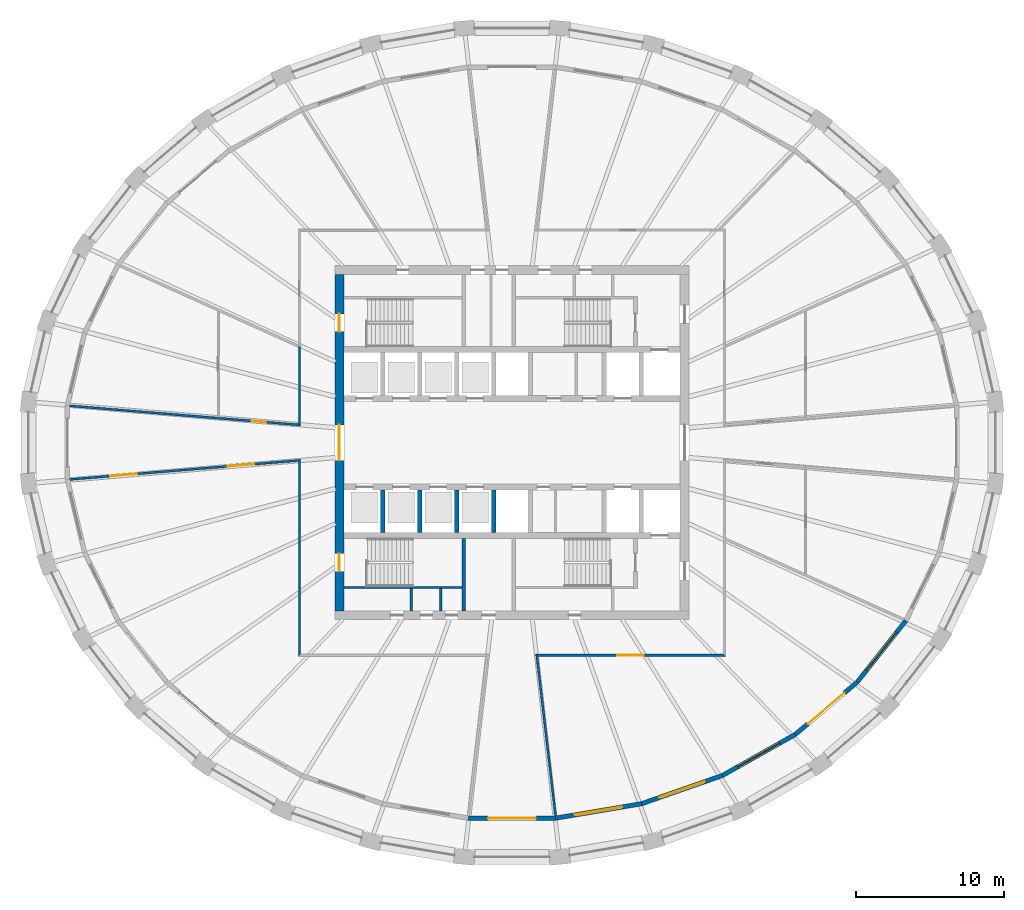
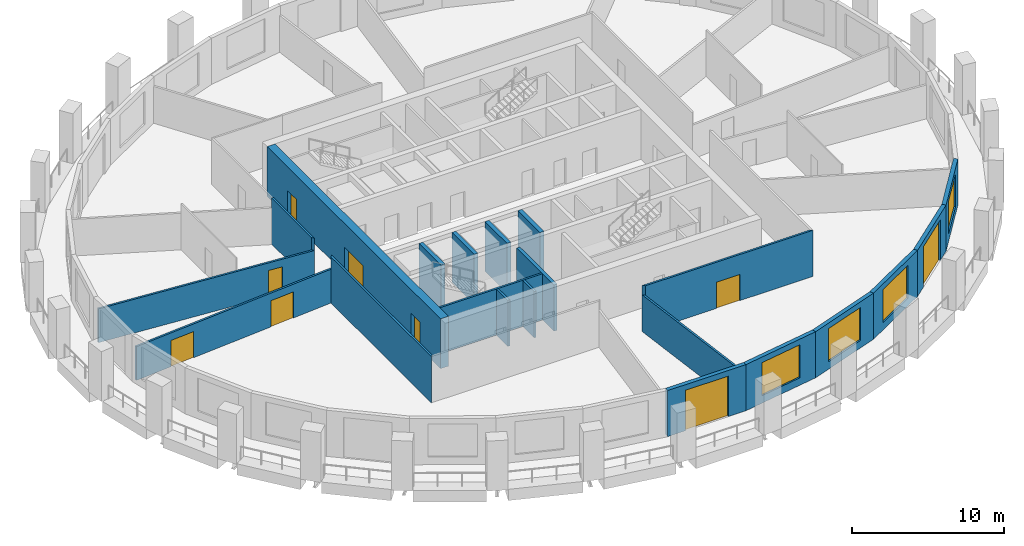
# One storey, part 3 of 10: 21 walls, 9 doors, 4 windows, 13 openings.
"""IFC4 building model written with IfcOpenShell, lengths in metres."""

import ifcopenshell
import ifcopenshell.guid

model = None  # the IFC model being written
_history = None  # IfcOwnerHistory: only IFC2X3 demands one
_inside = {}  # id of a spatial element -> (the spatial element, [elements in it])
_under = {}  # id of a project, library or spatial element -> (it, [spatial elements below it])
_declared = {}  # id of a project -> (the project, [libraries it declares])
_typed = {}  # id of a type object -> (the type object, [elements of that type])
_made_of = {}  # id of a material, layer set ... -> (it, [elements and type objects made of it])


def new_model(schema):
    """Start an empty IFC model of exactly this schema.

    Asked for "IFC4X3", IfcOpenShell would pick the latest addendum, in which some entities
    have other attributes; the version numbers below select the first issue.
    IFC2X3 requires an IfcOwnerHistory on every rooted entity: one is made here for all.
    """
    global model, _history
    if schema == "IFC4X3":
        model = ifcopenshell.file(schema_version=(4, 3, 0, 0))
    else:
        model = ifcopenshell.file(schema=schema)
    _inside.clear()
    _under.clear()
    _declared.clear()
    _typed.clear()
    _made_of.clear()
    _history = None
    if model.schema == "IFC2X3":
        org = make("IfcOrganization", Name="unknown")
        user = make(
            "IfcPersonAndOrganization",
            ThePerson=make("IfcPerson", FamilyName="unknown"),
            TheOrganization=org,
        )
        app = make(
            "IfcApplication",
            ApplicationDeveloper=org,
            Version="unknown",
            ApplicationFullName="unknown",
            ApplicationIdentifier="unknown",
        )
        _history = make(
            "IfcOwnerHistory",
            OwningUser=user,
            OwningApplication=app,
            ChangeAction="ADDED",
            CreationDate=0,
        )
    return model


def make(cls, **values):
    """One entity of the class cls with the attributes given. An attribute that is None is left unset."""
    return model.create_entity(
        cls, **{name: value for name, value in values.items() if value is not None}
    )


def rooted(cls, **values):
    """An entity with a GlobalId (a new one), such as an element, a storey or a relation."""
    return make(cls, GlobalId=ifcopenshell.guid.new(), OwnerHistory=_history, **values)


def si_unit(unit_type, name, prefix=None):
    """IfcSIUnit, for example si_unit("LENGTHUNIT", "METRE", prefix="MILLI")."""
    return make("IfcSIUnit", UnitType=unit_type, Prefix=prefix, Name=name)


def assignment(units):
    """IfcUnitAssignment: the units of a project."""
    return None if units is None else make("IfcUnitAssignment", Units=units)


def point(xyz):
    """IfcCartesianPoint."""
    return None if xyz is None else make("IfcCartesianPoint", Coordinates=xyz)


def direction(xyz):
    """IfcDirection."""
    return None if xyz is None else make("IfcDirection", DirectionRatios=xyz)


def frame(location, z_axis=None, x_axis=None):
    """IfcAxis2Placement3D, a coordinate frame: its origin and axes. An axis left out is left unset."""
    return make(
        "IfcAxis2Placement3D",
        Location=point(location),
        Axis=direction(z_axis),
        RefDirection=direction(x_axis),
    )


def frame_2d(location, x_axis=None):
    """IfcAxis2Placement2D, a coordinate frame in the plane: its origin and x axis."""
    return make(
        "IfcAxis2Placement2D", Location=point(location), RefDirection=direction(x_axis)
    )


def origin():
    """The frame at (0, 0, 0) with its axes left unset."""
    return frame((0.0, 0.0, 0.0))


def place(relative_to, where):
    """IfcLocalPlacement: puts the frame where relative to a parent placement (None: the world)."""
    return make(
        "IfcLocalPlacement", PlacementRelTo=relative_to, RelativePlacement=where
    )


def context(
    kind, dimensions, precision=None, world=None, true_north=None, identifier=None
):
    """IfcGeometricRepresentationContext, for example the 3D "Model" context."""
    return make(
        "IfcGeometricRepresentationContext",
        ContextIdentifier=identifier,
        ContextType=kind,
        CoordinateSpaceDimension=dimensions,
        Precision=precision,
        WorldCoordinateSystem=world,
        TrueNorth=true_north,
    )


def subcontext(parent, identifier, kind, view, scale=None):
    """IfcGeometricRepresentationSubContext, for example "Body" below "Model"."""
    return make(
        "IfcGeometricRepresentationSubContext",
        ContextIdentifier=identifier,
        ContextType=kind,
        ParentContext=parent,
        TargetScale=scale,
        TargetView=view,
    )


def project(units=None, contexts=None):
    """IfcProject with its units and contexts."""
    return rooted(
        "IfcProject",
        Name="project",
        RepresentationContexts=contexts,
        UnitsInContext=assignment(units),
    )


def spatial(cls, under=None, at=None, **own):
    """A site, building, storey or space (cls), placed at a placement, below another one or the project."""
    s = rooted(cls, ObjectPlacement=at, **own)
    if under is not None:
        _under.setdefault(under.id(), (under, []))[1].append(s)
    return s


def polyline(points):
    """IfcPolyline through the points."""
    return make("IfcPolyline", Points=[point(p) for p in points])


def profile(cls, at=None, kind="AREA", **sizes):
    """A parametric profile (cls). Its sizes go by their IFC names, for example OverallWidth=200.0."""
    return make(cls, ProfileType=kind, Position=at, **sizes)


def rectangle(**sizes):
    """IfcRectangleProfileDef."""
    return profile("IfcRectangleProfileDef", **sizes)


def outline(outer, holes=None, kind="AREA"):
    """IfcArbitraryClosedProfileDef: a profile drawn as a closed curve; with holes, ...WithVoids."""
    if holes is None:
        return make("IfcArbitraryClosedProfileDef", ProfileType=kind, OuterCurve=outer)
    return make(
        "IfcArbitraryProfileDefWithVoids",
        ProfileType=kind,
        OuterCurve=outer,
        InnerCurves=holes,
    )


def extrude(swept, where, along, depth):
    """IfcExtrudedAreaSolid: the profile swept, set in the frame where, extruded along a direction by depth."""
    return make(
        "IfcExtrudedAreaSolid",
        SweptArea=swept,
        Position=where,
        ExtrudedDirection=direction(along),
        Depth=depth,
    )


def shape(context_of_items, identifier, shape_type, items):
    """IfcShapeRepresentation: the items that make up one representation, for example the "Body"."""
    return make(
        "IfcShapeRepresentation",
        ContextOfItems=context_of_items,
        RepresentationIdentifier=identifier,
        RepresentationType=shape_type,
        Items=items,
    )


def material(Name=None, Category=None):
    """IfcMaterial."""
    return make("IfcMaterial", Name=Name, Category=Category)


def layer(
    of_material, thickness, ventilated=None, Name=None, Category=None, Priority=None
):
    """IfcMaterialLayer: one layer of a wall or slab, of a material (None: an air gap)."""
    return make(
        "IfcMaterialLayer",
        Material=of_material,
        LayerThickness=thickness,
        IsVentilated=ventilated,
        Name=Name,
        Category=Category,
        Priority=Priority,
    )


def layer_set(layers, Name=None):
    """IfcMaterialLayerSet."""
    return make("IfcMaterialLayerSet", MaterialLayers=layers, LayerSetName=Name)


def made_of(thing, what):
    """Note that an element or type object is made of a material, layer set ...; save() writes the relation."""
    if what is not None:
        _made_of.setdefault(what.id(), (what, []))[1].append(thing)
    return thing


def type_object(cls, material=None, **own):
    """A type object (cls), such as IfcWallType, which elements share."""
    return made_of(rooted(cls, **own), material)


def element(
    cls,
    number,
    at=None,
    inside=None,
    cuts=None,
    type_object=None,
    material=None,
    context=None,
    identifier="Body",
    shape_type=None,
    held_by="IfcProductDefinitionShape",
    body=None,
    shapes=None,
    **own,
):
    """One element of the class cls, such as IfcWall. Its Tag is "e" and its number.

    at: its placement. inside: the storey or other place that contains it. cuts: it is an
    opening in that element (IfcRelVoidsElement). A single representation is given by context,
    identifier, shape_type and body (its items); several are given by shapes. held_by: the class
    of the entity that holds the representations. save() writes the other relations.
    """
    e = rooted(cls, Tag="e%d" % number, ObjectPlacement=at, **own)
    if body is not None:
        shapes = [shape(context, identifier, shape_type, body)]
    if shapes is not None:
        e.Representation = make(held_by, Representations=shapes)
    if inside is not None:
        _inside.setdefault(inside.id(), (inside, []))[1].append(e)
    if cuts is not None:
        rooted(
            "IfcRelVoidsElement", RelatingBuildingElement=cuts, RelatedOpeningElement=e
        )
    if type_object is not None:
        _typed.setdefault(type_object.id(), (type_object, []))[1].append(e)
    return made_of(e, material)


def fill(opening, filler):
    """IfcRelFillsElement: the door or window that sits in an opening."""
    return rooted(
        "IfcRelFillsElement",
        RelatingOpeningElement=opening,
        RelatedBuildingElement=filler,
    )


def aggregate(whole, parts):
    """IfcRelAggregates: a whole, such as a stair, and the parts it consists of."""
    return rooted("IfcRelAggregates", RelatingObject=whole, RelatedObjects=parts)


def save(model, path):
    """Write the relations noted so far, then the file.

    IfcRelAggregates (storeys below a building ...), IfcRelContainedInSpatialStructure (elements
    in a storey), IfcRelDefinesByType, IfcRelAssociatesMaterial and IfcRelDeclares: one each for
    every whole, place, type object, material and project.
    """
    for whole, parts in _under.values():
        aggregate(whole, parts)
    for where, things in _inside.values():
        rooted(
            "IfcRelContainedInSpatialStructure",
            RelatedElements=things,
            RelatingStructure=where,
        )
    for kind, things in _typed.values():
        rooted("IfcRelDefinesByType", RelatedObjects=things, RelatingType=kind)
    for what, things in _made_of.values():
        rooted("IfcRelAssociatesMaterial", RelatedObjects=things, RelatingMaterial=what)
    for by, libraries in _declared.values():
        rooted("IfcRelDeclares", RelatingContext=by, RelatedDefinitions=libraries)
    model.write(path)


model = new_model("IFC4")

# Units and contexts
model_context = context("Model", 3, precision=1e-05, world=origin(), true_north=direction((0.0, 1.0)))
body_context = subcontext(model_context, "Body", "Model", "MODEL_VIEW")
ifc_project = project(units=[si_unit("LENGTHUNIT", "METRE"), si_unit("AREAUNIT", "SQUARE_METRE"), si_unit("VOLUMEUNIT", "CUBIC_METRE"), si_unit("PLANEANGLEUNIT", "RADIAN"), si_unit("MASSUNIT", "GRAM", prefix="KILO")], contexts=[model_context])

# Site, building, storey
site_placement = place(None, origin())
site = spatial("IfcSite", under=ifc_project, at=site_placement, CompositionType="ELEMENT")
building_placement = place(site_placement, origin())
building = spatial("IfcBuilding", under=site, at=building_placement, Name="Halqa Exchange Tower", CompositionType="ELEMENT")
storey_placement = place(building_placement, frame((0.0, 0.0, 178.89990234375)))
storey = spatial("IfcBuildingStorey", under=building, at=storey_placement, Name="L40", CompositionType="ELEMENT", Elevation=178.89990234375)

# Wall, opening, door
ifc_material_1 = material(Name="Fire-rated gypsum board")
ifc_layer_1 = layer(ifc_material_1, 0.14990234375)
ifc_layer_set_1 = layer_set([ifc_layer_1], Name="Fire-rated gypsum board")
wall_type_1 = type_object("IfcWallType", Name="Fire partition EI 60 150", PredefinedType="PARTITIONING", material=ifc_layer_set_1)
wall_1_placement = place(storey_placement, frame((-29.969970703125, 2.494384765625, 0.0), z_axis=(0.0, 0.0, 1.0), x_axis=(0.996561500002, -0.082856361942, 0.0)))
wall_1 = element("IfcWall", 1, at=wall_1_placement, inside=storey, type_object=wall_type_1, Name="L40-PWL-001", PredefinedType="PARTITIONING", context=body_context, shape_type="SweptSolid", body=[
    extrude(outline(polyline([(15.705078125, -0.074951171875), (15.705078125, -0.07470703125), (15.623779296875, 0.000244140625), (15.54248046875, 0.074951171875), (13.600341796875, 0.074951171875), (11.658203125, 0.074951171875), (9.71630859375, 0.074951171875), (7.774169921875, 0.074951171875), (5.83203125, 0.074951171875), (3.889892578125, 0.074951171875), (1.947998046875, 0.074951171875), (0.005859375, 0.074951171875), (0.0, 0.03564453125), (0.0, -0.073974609375), (0.0, -0.074951171875), (1.963134765625, -0.074951171875), (3.92626953125, -0.074951171875), (5.889404296875, -0.074951171875), (7.8525390625, -0.074951171875), (9.815673828125, -0.074951171875), (11.77880859375, -0.074951171875), (13.741943359375, -0.074951171875), (15.705078125, -0.074951171875)])), origin(), (0.0, 0.0, 1.0), 2.710205078125),
])
opening_1_placement = place(wall_1_placement, frame((12.364013671875, 0.0, 0.0)))
opening_1 = element("IfcOpeningElement", 2, at=opening_1_placement, cuts=wall_1, Name="Opening 12-03", PredefinedType="OPENING", context=body_context, shape_type="SweptSolid", body=[
    extrude(rectangle(XDim=1.0, YDim=2.10009765625, at=frame_2d((0.5, 1.050048828125))), frame((0.0, 0.0869140625, 0.0), z_axis=(0.0, -1.0, 0.0), x_axis=(1.0, 0.0, 0.0)), (0.0, 0.0, 1.0), 0.173828125),
])
ifc_material_2 = material(Name="Steel fire door leaf", Category="steel")
door_type_1 = type_object("IfcDoorType", Name="Fire door FD30S 1000 x 2100", OperationType="SINGLE_SWING_LEFT", PredefinedType="DOOR", material=ifc_material_2)
door_1_placement = place(opening_1_placement, origin())
door_1 = element("IfcDoor", 3, at=door_1_placement, inside=storey, type_object=door_type_1, Name="L40-IDR-003", OperationType="SINGLE_SWING_LEFT", OverallHeight=2.10009765625, OverallWidth=1.0, PredefinedType="DOOR", context=body_context, shape_type="SweptSolid", body=[
    extrude(rectangle(XDim=1.0, YDim=2.10009765625, at=frame_2d((0.5, 1.050048828125))), frame((0.0, 0.02490234375, 0.0), z_axis=(0.0, -1.0, 0.0), x_axis=(1.0, 0.0, 0.0)), (0.0, 0.0, 1.0), 0.050048828125),
])
fill(opening_1, door_1)

# Wall
wall_2_placement = place(storey_placement, frame((-14.39990234375, -14.47509765625, 0.0), z_axis=(0.0, 0.0, 1.0), x_axis=(0.0, 1.0, 0.0)))
element("IfcWall", 4, at=wall_2_placement, inside=storey, type_object=wall_type_1, Name="L40-PWL-004", PredefinedType="PARTITIONING", context=body_context, shape_type="SweptSolid", body=[
    extrude(outline(polyline([(0.150146484375, -0.074951171875), (2.036865234375, -0.074951171875), (3.92333984375, -0.074951171875), (5.81005859375, -0.074951171875), (7.69677734375, -0.074951171875), (9.583251953125, -0.074951171875), (11.469970703125, -0.074951171875), (13.356689453125, -0.074951171875), (13.19384765625, 0.074951171875), (11.30908203125, 0.074951171875), (9.424072265625, 0.074951171875), (7.539306640625, 0.074951171875), (5.654541015625, 0.074951171875), (3.769775390625, 0.074951171875), (1.885009765625, 0.074951171875), (0.000244140625, 0.074951171875), (0.150146484375, -0.074951171875)])), origin(), (0.0, 0.0, 1.0), 3.7001953125),
])

# Wall, openings, doors
wall_3_placement = place(storey_placement, frame((-14.31884765625, -1.193115234375, 0.0), z_axis=(0.0, 0.0, 1.0), x_axis=(-0.996562676797, -0.08284220673, 0.0)))
wall_3 = element("IfcWall", 5, at=wall_3_placement, inside=storey, type_object=wall_type_1, Name="L40-PWL-005", PredefinedType="PARTITIONING", context=body_context, shape_type="SweptSolid", body=[
    extrude(outline(polyline([(15.704833984375, -0.074951171875), (15.704833984375, 0.037841796875), (15.69921875, 0.074951171875), (13.757080078125, 0.074951171875), (11.815185546875, 0.074951171875), (9.873046875, 0.074951171875), (7.930908203125, 0.074951171875), (5.989013671875, 0.074951171875), (4.046875, 0.074951171875), (2.104736328125, 0.074951171875), (0.162841796875, 0.074951171875), (0.08154296875, 0.000244140625), (0.0, -0.07470703125), (0.0, -0.074951171875), (1.963134765625, -0.074951171875), (3.92626953125, -0.074951171875), (5.889404296875, -0.074951171875), (7.8525390625, -0.074951171875), (9.8154296875, -0.074951171875), (11.778564453125, -0.074951171875), (13.74169921875, -0.074951171875), (15.704833984375, -0.074951171875)])), origin(), (0.0, 0.0, 1.0), 2.710205078125),
])
opening_2_placement = place(wall_3_placement, frame((11.132568359375, 0.0, 0.0)))
opening_2 = element("IfcOpeningElement", 6, at=opening_2_placement, cuts=wall_3, Name="Opening 12-04", PredefinedType="OPENING", context=body_context, shape_type="SweptSolid", body=[
    extrude(rectangle(XDim=1.800048828125, YDim=2.10009765625, at=frame_2d((0.89990234375, 1.050048828125))), frame((0.0, 0.0869140625, 0.0), z_axis=(0.0, -1.0, 0.0), x_axis=(1.0, 0.0, 0.0)), (0.0, 0.0, 1.0), 0.173828125),
])
opening_3_placement = place(wall_3_placement, frame((3.165283203125, 0.0, 0.0)))
opening_3 = element("IfcOpeningElement", 7, at=opening_3_placement, cuts=wall_3, Name="Opening 12-05", PredefinedType="OPENING", context=body_context, shape_type="SweptSolid", body=[
    extrude(rectangle(XDim=1.800048828125, YDim=2.10009765625, at=frame_2d((0.89990234375, 1.050048828125))), frame((0.0, 0.0869140625, 0.0), z_axis=(0.0, -1.0, 0.0), x_axis=(1.0, 0.0, 0.0)), (0.0, 0.0, 1.0), 0.173828125),
])
door_type_2 = type_object("IfcDoorType", Name="Fire door FD30S double 1800 x 2100", OperationType="DOUBLE_DOOR_SINGLE_SWING", PredefinedType="DOOR", material=ifc_material_2)
door_2_placement = place(opening_2_placement, origin())
door_2 = element("IfcDoor", 8, at=door_2_placement, inside=storey, type_object=door_type_2, Name="L40-IDR-004", OperationType="DOUBLE_DOOR_SINGLE_SWING", OverallHeight=2.10009765625, OverallWidth=1.800048828125, PredefinedType="DOOR", context=body_context, shape_type="SweptSolid", body=[
    extrude(rectangle(XDim=1.800048828125, YDim=2.10009765625, at=frame_2d((0.89990234375, 1.050048828125))), frame((0.0, 0.02490234375, 0.0), z_axis=(0.0, -1.0, 0.0), x_axis=(1.0, 0.0, 0.0)), (0.0, 0.0, 1.0), 0.050048828125),
])
fill(opening_2, door_2)
door_3_placement = place(opening_3_placement, origin())
door_3 = element("IfcDoor", 9, at=door_3_placement, inside=storey, type_object=door_type_2, Name="L40-IDR-005", OperationType="DOUBLE_DOOR_SINGLE_SWING", OverallHeight=2.10009765625, OverallWidth=1.800048828125, PredefinedType="DOOR", context=body_context, shape_type="SweptSolid", body=[
    extrude(rectangle(XDim=1.800048828125, YDim=2.10009765625, at=frame_2d((0.89990234375, 1.050048828125))), frame((0.0, 0.02490234375, 0.0), z_axis=(0.0, -1.0, 0.0), x_axis=(1.0, 0.0, 0.0)), (0.0, 0.0, 1.0), 0.050048828125),
])
fill(opening_3, door_3)

# Walls
wall_4_placement = place(storey_placement, frame((-14.39990234375, 1.118408203125, 0.0), z_axis=(0.0, 0.0, 1.0), x_axis=(0.0, 1.0, 0.0)))
element("IfcWall", 10, at=wall_4_placement, inside=storey, type_object=wall_type_1, Name="L40-PWL-006", PredefinedType="PARTITIONING", context=body_context, shape_type="SweptSolid", body=[
    extrude(outline(polyline([(5.381591796875, 0.074951171875), (3.64208984375, 0.074951171875), (1.902587890625, 0.074951171875), (0.162841796875, 0.074951171875), (0.0, -0.074951171875), (1.7939453125, -0.074951171875), (3.587646484375, -0.074951171875), (5.381591796875, -0.074951171875), (5.381591796875, 0.074951171875)])), origin(), (0.0, 0.0, 1.0), 3.7001953125),
])
wall_5_placement = place(storey_placement, frame((1.670166015625, -14.31640625, 0.0), z_axis=(0.0, 0.0, 1.0), x_axis=(0.116172056535, -0.993229104125, 0.0)))
element("IfcWall", 11, at=wall_5_placement, inside=storey, type_object=wall_type_1, Name="L40-PWL-014", PredefinedType="PARTITIONING", context=body_context, shape_type="SweptSolid", body=[
    extrude(outline(polyline([(0.0, -0.074951171875), (1.8408203125, -0.074951171875), (3.681884765625, -0.074951171875), (5.522705078125, -0.074951171875), (7.363525390625, -0.074951171875), (9.20458984375, -0.074951171875), (11.04541015625, -0.074951171875), (11.0498046875, -0.037109375), (11.0498046875, 0.074951171875), (9.236328125, 0.074951171875), (7.422607421875, 0.074951171875), (5.609130859375, 0.074951171875), (3.79541015625, 0.074951171875), (1.98193359375, 0.074951171875), (0.16845703125, 0.074951171875), (0.084228515625, 0.0), (0.0, -0.074951171875), (0.0, -0.074951171875)])), origin(), (0.0, 0.0, 1.0), 2.947021484375),
])

# Wall, opening, door
wall_6_placement = place(storey_placement, frame((14.47509765625, -14.39990234375, 0.0), z_axis=(0.0, 0.0, 1.0), x_axis=(-1.0, 0.0, 0.0)))
wall_6 = element("IfcWall", 12, at=wall_6_placement, inside=storey, type_object=wall_type_1, Name="L40-PWL-018", PredefinedType="PARTITIONING", context=body_context, shape_type="SweptSolid", body=[
    extrude(outline(polyline([(12.87939453125, -0.074951171875), (12.87939453125, -0.074951171875), (12.7109375, 0.074951171875), (10.895263671875, 0.074951171875), (9.079345703125, 0.074951171875), (7.263427734375, 0.074951171875), (5.44775390625, 0.074951171875), (3.6318359375, 0.074951171875), (1.816162109375, 0.074951171875), (0.000244140625, 0.074951171875), (0.150146484375, -0.074951171875), (1.968505859375, -0.074951171875), (3.787109375, -0.074951171875), (5.60546875, -0.074951171875), (7.424072265625, -0.074951171875), (9.242431640625, -0.074951171875), (11.06103515625, -0.074951171875), (12.87939453125, -0.074951171875)])), origin(), (0.0, 0.0, 1.0), 3.7001953125),
])
opening_4_placement = place(wall_6_placement, frame((5.534912109375, 0.0, 0.0)))
opening_4 = element("IfcOpeningElement", 13, at=opening_4_placement, cuts=wall_6, Name="Opening 12-06", PredefinedType="OPENING", context=body_context, shape_type="SweptSolid", body=[
    extrude(rectangle(XDim=1.800048828125, YDim=2.10009765625, at=frame_2d((0.89990234375, 1.050048828125))), frame((0.0, 0.0869140625, 0.0), z_axis=(0.0, -1.0, 0.0), x_axis=(1.0, 0.0, 0.0)), (0.0, 0.0, 1.0), 0.173828125),
])
door_4_placement = place(opening_4_placement, origin())
door_4 = element("IfcDoor", 14, at=door_4_placement, inside=storey, type_object=door_type_2, Name="L40-IDR-006", OperationType="DOUBLE_DOOR_SINGLE_SWING", OverallHeight=2.10009765625, OverallWidth=1.800048828125, PredefinedType="DOOR", context=body_context, shape_type="SweptSolid", body=[
    extrude(rectangle(XDim=1.800048828125, YDim=2.10009765625, at=frame_2d((0.89990234375, 1.050048828125))), frame((0.0, 0.02490234375, 0.0), z_axis=(0.0, -1.0, 0.0), x_axis=(1.0, 0.0, 0.0)), (0.0, 0.0, 1.0), 0.050048828125),
])
fill(opening_4, door_4)

# Walls
ifc_material_3 = material(Name="Gypsum board")
ifc_layer_2 = layer(ifc_material_3, 0.14990234375)
ifc_layer_set_2 = layer_set([ifc_layer_2], Name="Gypsum board")
wall_type_2 = type_object("IfcWallType", Name="Penthouse riser wall 150 gypsum", PredefinedType="PARTITIONING", material=ifc_layer_set_2)
for number, where, z_axis, x_axis, name in (
    (15, (-6.824951171875, -11.39990234375, 0.0), (0.0, 0.0, 1.0), (0.0, 1.0, 0.0), "Partition W6.825 S"),
    (16, (-4.824951171875, -11.39990234375, 0.0), (0.0, 0.0, 1.0), (0.0, 1.0, 0.0), "Partition W4.825 S"),
):
    element("IfcWall", number, at=place(storey_placement, frame(where, z_axis=z_axis, x_axis=x_axis)), inside=storey, type_object=wall_type_2, Name=name, PredefinedType="PARTITIONING", context=body_context, shape_type="SweptSolid", body=[
        extrude(rectangle(XDim=1.5, YDim=0.14990234375, at=frame_2d((0.75, 0.0))), origin(), (0.0, 0.0, 1.0), 3.7001953125),
    ])
ifc_material_4 = material(Name="Concrete C60/75", Category="concrete")
ifc_layer_3 = layer(ifc_material_4, 0.300048828125)
ifc_layer_set_3 = layer_set([ifc_layer_3], Name="Concrete C60/75")
wall_type_3 = type_object("IfcWallType", Name="RC core wall 300", PredefinedType="SHEAR", material=ifc_layer_set_3)
for number, where, z_axis, x_axis, name in (
    (17, (-8.75, -6.10009765625, 0.0), (0.0, 0.0, 1.0), (0.0, 1.0, 0.0), "Shaft divider S1"),
    (18, (-6.25, -6.10009765625, 0.0), (0.0, 0.0, 1.0), (0.0, 1.0, 0.0), "Shaft divider S2"),
    (19, (-3.75, -6.10009765625, 0.0), (0.0, 0.0, 1.0), (0.0, 1.0, 0.0), "Shaft divider S3"),
    (20, (-1.25, -6.10009765625, 0.0), (0.0, 0.0, 1.0), (0.0, 1.0, 0.0), "Shaft divider S4"),
):
    element("IfcWall", number, at=place(storey_placement, frame(where, z_axis=z_axis, x_axis=x_axis)), inside=storey, type_object=wall_type_3, Name=name, PredefinedType="SHEAR", context=body_context, shape_type="SweptSolid", body=[
        extrude(rectangle(XDim=2.900146484375, YDim=0.300048828125, at=frame_2d((1.4501953125, 0.0))), origin(), (0.0, 0.0, 1.0), 4.0),
    ])

# Wall, openings, doors
ifc_material_5 = material(Name="Concrete C70/85", Category="concrete")
ifc_layer_4 = layer(ifc_material_5, 0.60009765625)
ifc_layer_set_4 = layer_set([ifc_layer_4], Name="Concrete C70/85")
wall_type_4 = type_object("IfcWallType", Name="RC core wall 600 C70/85", PredefinedType="SHEAR", material=ifc_layer_set_4)
wall_7_placement = place(storey_placement, frame((-11.699951171875, -11.39990234375, 0.0), z_axis=(0.0, 0.0, 1.0), x_axis=(0.0, 1.0, 0.0)))
wall_7 = element("IfcWall", 21, at=wall_7_placement, inside=storey, type_object=wall_type_4, Name="Core wall west", PredefinedType="SHEAR", context=body_context, shape_type="SweptSolid", body=[
    extrude(rectangle(XDim=22.7998046875, YDim=0.60009765625, at=frame_2d((11.39990234375, 0.0))), origin(), (0.0, 0.0, 1.0), 4.0),
])
opening_5_placement = place(wall_7_placement, frame((10.199951171875, 0.0, 0.0)))
opening_5 = element("IfcOpeningElement", 22, at=opening_5_placement, cuts=wall_7, Name="Opening T12-C13", PredefinedType="OPENING", context=body_context, shape_type="SweptSolid", body=[
    extrude(rectangle(XDim=2.39990234375, YDim=2.10009765625, at=frame_2d((1.199951171875, 1.050048828125))), frame((0.0, 0.31201171875, 0.0), z_axis=(0.0, -1.0, 0.0), x_axis=(1.0, 0.0, 0.0)), (0.0, 0.0, 1.0), 0.6240234375),
])
opening_6_placement = place(wall_7_placement, frame((18.925048828125, 0.0, 0.0)))
opening_6 = element("IfcOpeningElement", 23, at=opening_6_placement, cuts=wall_7, Name="Opening T12-C15", PredefinedType="OPENING", context=body_context, shape_type="SweptSolid", body=[
    extrude(rectangle(XDim=1.199951171875, YDim=2.10009765625, at=frame_2d((0.60009765625, 1.050048828125))), frame((0.0, 0.31201171875, 0.0), z_axis=(0.0, -1.0, 0.0), x_axis=(1.0, 0.0, 0.0)), (0.0, 0.0, 1.0), 0.6240234375),
])
opening_7_placement = place(wall_7_placement, frame((2.675048828125, 0.0, 0.0)))
opening_7 = element("IfcOpeningElement", 24, at=opening_7_placement, cuts=wall_7, Name="Opening T12-C17", PredefinedType="OPENING", context=body_context, shape_type="SweptSolid", body=[
    extrude(rectangle(XDim=1.199951171875, YDim=2.10009765625, at=frame_2d((0.60009765625, 1.050048828125))), frame((0.0, 0.31201171875, 0.0), z_axis=(0.0, -1.0, 0.0), x_axis=(1.0, 0.0, 0.0)), (0.0, 0.0, 1.0), 0.6240234375),
])
door_type_3 = type_object("IfcDoorType", Name="Lobby double door FD60 2400 x 2100", OperationType="DOUBLE_DOOR_SINGLE_SWING", PredefinedType="DOOR", material=ifc_material_2)
door_5_placement = place(opening_5_placement, frame((2.39990234375, 0.0, 0.0), z_axis=(0.0, 0.0, 1.0), x_axis=(-1.0, 0.0, 0.0)))
door_5 = element("IfcDoor", 25, at=door_5_placement, inside=storey, type_object=door_type_3, Name="Lift lobby double door", OperationType="DOUBLE_DOOR_SINGLE_SWING", OverallHeight=2.10009765625, OverallWidth=2.39990234375, PredefinedType="DOOR", context=body_context, shape_type="SweptSolid", body=[
    extrude(rectangle(XDim=2.39990234375, YDim=2.10009765625, at=frame_2d((1.199951171875, 1.050048828125))), frame((0.0, 0.02490234375, 0.0), z_axis=(0.0, -1.0, 0.0), x_axis=(1.0, 0.0, 0.0)), (0.0, 0.0, 1.0), 0.050048828125),
])
fill(opening_5, door_5)
door_type_4 = type_object("IfcDoorType", Name="Stair door FD90 1200 x 2100", OperationType="SINGLE_SWING_LEFT", PredefinedType="DOOR", material=ifc_material_2)
door_6_placement = place(opening_6_placement, frame((1.199951171875, 0.0, 0.0), z_axis=(0.0, 0.0, 1.0), x_axis=(-1.0, 0.0, 0.0)))
door_6 = element("IfcDoor", 26, at=door_6_placement, inside=storey, type_object=door_type_4, Name="Stair door ST1", OperationType="SINGLE_SWING_RIGHT", OverallHeight=2.10009765625, OverallWidth=1.199951171875, PredefinedType="DOOR", context=body_context, shape_type="SweptSolid", body=[
    extrude(rectangle(XDim=1.199951171875, YDim=2.10009765625, at=frame_2d((0.60009765625, 1.050048828125))), frame((0.0, 0.02490234375, 0.0), z_axis=(0.0, -1.0, 0.0), x_axis=(1.0, 0.0, 0.0)), (0.0, 0.0, 1.0), 0.050048828125),
])
fill(opening_6, door_6)
door_7_placement = place(opening_7_placement, frame((1.199951171875, 0.0, 0.0), z_axis=(0.0, 0.0, 1.0), x_axis=(-1.0, 0.0, 0.0)))
door_7 = element("IfcDoor", 27, at=door_7_placement, inside=storey, type_object=door_type_4, Name="Stair door ST3", OperationType="SINGLE_SWING_RIGHT", OverallHeight=2.10009765625, OverallWidth=1.199951171875, PredefinedType="DOOR", context=body_context, shape_type="SweptSolid", body=[
    extrude(rectangle(XDim=1.199951171875, YDim=2.10009765625, at=frame_2d((0.60009765625, 1.050048828125))), frame((0.0, 0.02490234375, 0.0), z_axis=(0.0, -1.0, 0.0), x_axis=(1.0, 0.0, 0.0)), (0.0, 0.0, 1.0), 0.050048828125),
])
fill(opening_7, door_7)

# Walls
ifc_material_6 = material(Name="Concrete C30/37", Category="concrete")
ifc_layer_5 = layer(ifc_material_6, 0.14990234375)
ifc_layer_set_5 = layer_set([ifc_layer_5], Name="Concrete C30/37")
wall_type_5 = type_object("IfcWallType", Name="RC stair wall 150 C30/37", PredefinedType="SHEAR", material=ifc_layer_set_5)
wall_8_placement = place(storey_placement, frame((-11.39990234375, -9.824951171875, 0.0), z_axis=(0.0, 0.0, 1.0), x_axis=(1.0, 0.0, 0.0)))
element("IfcWall", 28, at=wall_8_placement, inside=storey, type_object=wall_type_5, Name="Stair ST1 north wall S", PredefinedType="SHEAR", context=body_context, shape_type="SweptSolid", body=[
    extrude(rectangle(XDim=8.0, YDim=0.14990234375, at=frame_2d((4.0, 0.0))), origin(), (0.0, 0.0, 1.0), 3.7001953125),
])
ifc_layer_6 = layer(ifc_material_6, 0.25)
ifc_layer_set_6 = layer_set([ifc_layer_6], Name="Concrete C30/37")
wall_type_6 = type_object("IfcWallType", Name="RC stair wall 250 C30/37", PredefinedType="SHEAR", material=ifc_layer_set_6)
wall_9_placement = place(storey_placement, frame((-3.27490234375, -11.39990234375, 0.0), z_axis=(0.0, 0.0, 1.0), x_axis=(0.0, 1.0, 0.0)))
element("IfcWall", 29, at=wall_9_placement, inside=storey, type_object=wall_type_6, Name="Stair ST1 east wall S", PredefinedType="SHEAR", context=body_context, shape_type="SweptSolid", body=[
    extrude(rectangle(XDim=4.89990234375, YDim=0.25, at=frame_2d((2.449951171875, 0.0))), origin(), (0.0, 0.0, 1.0), 3.7001953125),
])

# Wall, opening, door
ifc_material_7 = material(Name="Limestone cladding", Category="masonry")
ifc_layer_7 = layer(ifc_material_7, 0.0400390625)
ifc_material_8 = material(Name="Ventilated cavity")
ifc_layer_8 = layer(ifc_material_8, 0.030029296875, ventilated=True)
ifc_material_9 = material(Name="Mineral wool insulation")
ifc_layer_9 = layer(ifc_material_9, 0.10009765625)
ifc_layer_10 = layer(ifc_material_6, 0.10009765625)
ifc_material_10 = material(Name="Internal plaster")
ifc_layer_11 = layer(ifc_material_10, 0.030029296875)
ifc_layer_set_7 = layer_set([ifc_layer_7, ifc_layer_8, ifc_layer_9, ifc_layer_10, ifc_layer_11], Name="Stone-faced insulated wall 300")
wall_type_7 = type_object("IfcWallType", Name="Stone-faced insulated wall 300", PredefinedType="STANDARD", material=ifc_layer_set_7)
wall_10_placement = place(storey_placement, frame((-2.96484375, -25.44580078125, 0.0), z_axis=(0.0, 0.0, 1.0), x_axis=(1.0, 0.0, 0.0)))
wall_10 = element("IfcWall", 30, at=wall_10_placement, inside=storey, type_object=wall_type_7, Name="Glass-line wall 24", PredefinedType="STANDARD", context=body_context, shape_type="SweptSolid", body=[
    extrude(outline(polyline([(-0.012451171875, -0.14990234375), (5.942138671875, -0.14990234375), (5.917236328125, 0.14990234375), (0.012451171875, 0.14990234375), (-0.012451171875, -0.14990234375)])), origin(), (0.0, 0.0, 1.0), 3.7001953125),
])
opening_8_placement = place(wall_10_placement, frame((1.33984375, 0.0, 0.0)))
opening_8 = element("IfcOpeningElement", 31, at=opening_8_placement, cuts=wall_10, Name="Opening LG-F3-06", PredefinedType="OPENING", context=body_context, shape_type="SweptSolid", body=[
    extrude(rectangle(XDim=3.25, YDim=3.25, at=frame_2d((1.625, 1.625))), frame((0.0, 0.162109375, 0.0), z_axis=(0.0, -1.0, 0.0), x_axis=(1.0, 0.0, 0.0)), (0.0, 0.0, 1.0), 0.323974609375),
])
ifc_material_11 = material(Name="Clear low-emissivity glass in aluminium frame", Category="aluminium")
door_type_5 = type_object("IfcDoorType", Name="Glazed sliding loggia door 3250 x 3250", OperationType="DOUBLE_DOOR_SLIDING", PredefinedType="DOOR", material=ifc_material_11)
door_8_placement = place(opening_8_placement, origin())
door_8 = element("IfcDoor", 32, at=door_8_placement, inside=storey, type_object=door_type_5, Name="Loggia door 6", OperationType="DOUBLE_DOOR_SLIDING", OverallHeight=3.25, OverallWidth=3.25, PredefinedType="DOOR", context=body_context, shape_type="SweptSolid", body=[
    extrude(rectangle(XDim=3.25, YDim=3.25, at=frame_2d((1.625, 1.625))), frame((0.0, 0.02490234375, 0.0), z_axis=(0.0, -1.0, 0.0), x_axis=(1.0, 0.0, 0.0)), (0.0, 0.0, 1.0), 0.050048828125),
])
fill(opening_8, door_8)

# Wall, opening, window
wall_11_placement = place(storey_placement, frame((2.96484375, -25.44580078125, 0.0), z_axis=(0.0, 0.0, 1.0), x_axis=(0.986201934369, 0.165546805001, 0.0)))
wall_11 = element("IfcWall", 33, at=wall_11_placement, inside=storey, type_object=wall_type_7, Name="Glass-line wall 25", PredefinedType="STANDARD", context=body_context, shape_type="SweptSolid", body=[
    extrude(outline(polyline([(-0.012451171875, -0.14990234375), (5.91015625, -0.14990234375), (5.884765625, 0.14990234375), (0.012451171875, 0.14990234375), (-0.012451171875, -0.14990234375)])), origin(), (0.0, 0.0, 1.0), 3.7001953125),
])
opening_9_placement = place(wall_11_placement, frame((1.32373046875, 0.0, 0.60009765625)))
opening_9 = element("IfcOpeningElement", 34, at=opening_9_placement, cuts=wall_11, Name="Opening W-F3-25", PredefinedType="OPENING", context=body_context, shape_type="SweptSolid", body=[
    extrude(rectangle(XDim=3.25, YDim=2.64990234375, at=frame_2d((1.625, 1.324951171875))), frame((0.0, 0.162109375, 0.0), z_axis=(0.0, -1.0, 0.0), x_axis=(1.0, 0.0, 0.0)), (0.0, 0.0, 1.0), 0.323974609375),
])
window_type = type_object("IfcWindowType", Name="Fixed clear glazed window 3250 x 2650", PartitioningType="TRIPLE_PANEL_VERTICAL", PredefinedType="WINDOW", material=ifc_material_11)
window_1_placement = place(opening_9_placement, origin())
window_1 = element("IfcWindow", 35, at=window_1_placement, inside=storey, type_object=window_type, Name="Window 3", OverallHeight=2.64990234375, OverallWidth=3.25, PartitioningType="TRIPLE_PANEL_VERTICAL", PredefinedType="WINDOW", context=body_context, shape_type="SweptSolid", body=[
    extrude(rectangle(XDim=3.25, YDim=2.64990234375, at=frame_2d((1.625, 1.324951171875))), frame((0.0, 0.030029296875, 0.0), z_axis=(0.0, -1.0, 0.0), x_axis=(1.0, 0.0, 0.0)), (0.0, 0.0, 1.0), 0.06005859375),
])
fill(opening_9, window_1)

wall_12_placement = place(storey_placement, frame((8.781005859375, -24.469482421875, 0.0), z_axis=(0.0, 0.0, 1.0), x_axis=(0.943990724372, 0.329971987144, 0.0)))
wall_12 = element("IfcWall", 36, at=wall_12_placement, inside=storey, type_object=wall_type_7, Name="Glass-line wall 26", PredefinedType="STANDARD", context=body_context, shape_type="SweptSolid", body=[
    extrude(outline(polyline([(-0.0126953125, -0.14990234375), (5.818603515625, -0.14990234375), (5.791748046875, 0.14990234375), (0.0126953125, 0.14990234375), (-0.0126953125, -0.14990234375)])), origin(), (0.0, 0.0, 1.0), 3.7001953125),
])
opening_10_placement = place(wall_12_placement, frame((1.277587890625, 0.0, 0.60009765625)))
opening_10 = element("IfcOpeningElement", 37, at=opening_10_placement, cuts=wall_12, Name="Opening W-F3-26", PredefinedType="OPENING", context=body_context, shape_type="SweptSolid", body=[
    extrude(rectangle(XDim=3.25, YDim=2.64990234375, at=frame_2d((1.625, 1.324951171875))), frame((0.0, 0.162109375, 0.0), z_axis=(0.0, -1.0, 0.0), x_axis=(1.0, 0.0, 0.0)), (0.0, 0.0, 1.0), 0.323974609375),
])
window_2_placement = place(opening_10_placement, origin())
window_2 = element("IfcWindow", 38, at=window_2_placement, inside=storey, type_object=window_type, Name="Window 3", OverallHeight=2.64990234375, OverallWidth=3.25, PartitioningType="TRIPLE_PANEL_VERTICAL", PredefinedType="WINDOW", context=body_context, shape_type="SweptSolid", body=[
    extrude(rectangle(XDim=3.25, YDim=2.64990234375, at=frame_2d((1.625, 1.324951171875))), frame((0.0, 0.030029296875, 0.0), z_axis=(0.0, -1.0, 0.0), x_axis=(1.0, 0.0, 0.0)), (0.0, 0.0, 1.0), 0.06005859375),
])
fill(opening_10, window_2)

wall_13_placement = place(storey_placement, frame((14.260986328125, -22.553955078125, 0.0), z_axis=(0.0, 0.0, 1.0), x_axis=(0.871077775545, 0.491145099691, 0.0)))
wall_13 = element("IfcWall", 39, at=wall_13_placement, inside=storey, type_object=wall_type_7, Name="Glass-line wall 27", PredefinedType="STANDARD", context=body_context, shape_type="SweptSolid", body=[
    extrude(outline(polyline([(-0.013427734375, -0.14990234375), (5.677978515625, -0.14990234375), (5.649658203125, 0.14990234375), (0.013427734375, 0.14990234375), (-0.013427734375, -0.14990234375)])), origin(), (0.0, 0.0, 1.0), 3.7001953125),
])
opening_11_placement = place(wall_13_placement, frame((1.206787109375, 0.0, 0.60009765625)))
opening_11 = element("IfcOpeningElement", 40, at=opening_11_placement, cuts=wall_13, Name="Opening W-F3-27", PredefinedType="OPENING", context=body_context, shape_type="SweptSolid", body=[
    extrude(rectangle(XDim=3.25, YDim=2.64990234375, at=frame_2d((1.625, 1.324951171875))), frame((0.0, 0.162109375, 0.0), z_axis=(0.0, -1.0, 0.0), x_axis=(1.0, 0.0, 0.0)), (0.0, 0.0, 1.0), 0.323974609375),
])
window_3_placement = place(opening_11_placement, origin())
window_3 = element("IfcWindow", 41, at=window_3_placement, inside=storey, type_object=window_type, Name="Window 3", OverallHeight=2.64990234375, OverallWidth=3.25, PartitioningType="TRIPLE_PANEL_VERTICAL", PredefinedType="WINDOW", context=body_context, shape_type="SweptSolid", body=[
    extrude(rectangle(XDim=3.25, YDim=2.64990234375, at=frame_2d((1.625, 1.324951171875))), frame((0.0, 0.030029296875, 0.0), z_axis=(0.0, -1.0, 0.0), x_axis=(1.0, 0.0, 0.0)), (0.0, 0.0, 1.0), 0.06005859375),
])
fill(opening_11, window_3)

# Wall, opening, door
wall_14_placement = place(storey_placement, frame((19.194580078125, -19.772216796875, 0.0), z_axis=(0.0, 0.0, 1.0), x_axis=(0.764238764041, 0.64493341636, 0.0)))
wall_14 = element("IfcWall", 42, at=wall_14_placement, inside=storey, type_object=wall_type_7, Name="Glass-line wall 28", PredefinedType="STANDARD", context=body_context, shape_type="SweptSolid", body=[
    extrude(outline(polyline([(-0.01416015625, -0.14990234375), (5.507568359375, -0.14990234375), (5.477294921875, 0.14990234375), (0.01416015625, 0.14990234375), (-0.01416015625, -0.14990234375)])), origin(), (0.0, 0.0, 1.0), 3.7001953125),
])
opening_12_placement = place(wall_14_placement, frame((1.12109375, 0.0, 0.0)))
opening_12 = element("IfcOpeningElement", 43, at=opening_12_placement, cuts=wall_14, Name="Opening LG-F3-07", PredefinedType="OPENING", context=body_context, shape_type="SweptSolid", body=[
    extrude(rectangle(XDim=3.25, YDim=3.25, at=frame_2d((1.625, 1.625))), frame((0.0, 0.162109375, 0.0), z_axis=(0.0, -1.0, 0.0), x_axis=(1.0, 0.0, 0.0)), (0.0, 0.0, 1.0), 0.323974609375),
])
door_9_placement = place(opening_12_placement, origin())
door_9 = element("IfcDoor", 44, at=door_9_placement, inside=storey, type_object=door_type_5, Name="Loggia door 7", OperationType="DOUBLE_DOOR_SLIDING", OverallHeight=3.25, OverallWidth=3.25, PredefinedType="DOOR", context=body_context, shape_type="SweptSolid", body=[
    extrude(rectangle(XDim=3.25, YDim=3.25, at=frame_2d((1.625, 1.625))), frame((0.0, 0.02490234375, 0.0), z_axis=(0.0, -1.0, 0.0), x_axis=(1.0, 0.0, 0.0)), (0.0, 0.0, 1.0), 0.050048828125),
])
fill(opening_12, door_9)

# Wall, opening, window
wall_15_placement = place(storey_placement, frame((23.39208984375, -16.22998046875, 0.0), z_axis=(0.0, 0.0, 1.0), x_axis=(0.620766467446, 0.78399553117, 0.0)))
wall_15 = element("IfcWall", 45, at=wall_15_placement, inside=storey, type_object=wall_type_7, Name="Glass-line wall 29", PredefinedType="STANDARD", context=body_context, shape_type="SweptSolid", body=[
    extrude(outline(polyline([(-0.01513671875, -0.14990234375), (5.331787109375, -0.14990234375), (5.299560546875, 0.14990234375), (0.01513671875, 0.14990234375), (-0.01513671875, -0.14990234375)])), origin(), (0.0, 0.0, 1.0), 3.7001953125),
])
opening_13_placement = place(wall_15_placement, frame((1.032958984375, 0.0, 0.60009765625)))
opening_13 = element("IfcOpeningElement", 46, at=opening_13_placement, cuts=wall_15, Name="Opening W-F3-29", PredefinedType="OPENING", context=body_context, shape_type="SweptSolid", body=[
    extrude(rectangle(XDim=3.25, YDim=2.64990234375, at=frame_2d((1.625, 1.324951171875))), frame((0.0, 0.162109375, 0.0), z_axis=(0.0, -1.0, 0.0), x_axis=(1.0, 0.0, 0.0)), (0.0, 0.0, 1.0), 0.323974609375),
])
window_4_placement = place(opening_13_placement, origin())
window_4 = element("IfcWindow", 47, at=window_4_placement, inside=storey, type_object=window_type, Name="Window 3", OverallHeight=2.64990234375, OverallWidth=3.25, PartitioningType="TRIPLE_PANEL_VERTICAL", PredefinedType="WINDOW", context=body_context, shape_type="SweptSolid", body=[
    extrude(rectangle(XDim=3.25, YDim=2.64990234375, at=frame_2d((1.625, 1.324951171875))), frame((0.0, 0.030029296875, 0.0), z_axis=(0.0, -1.0, 0.0), x_axis=(1.0, 0.0, 0.0)), (0.0, 0.0, 1.0), 0.06005859375),
])
fill(opening_13, window_4)

save(model, "model.ifc")
